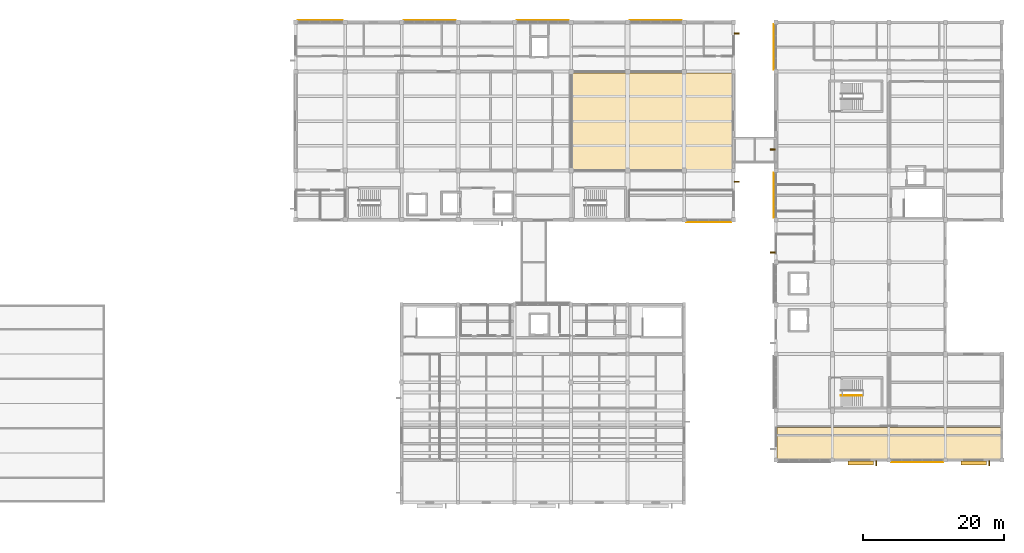
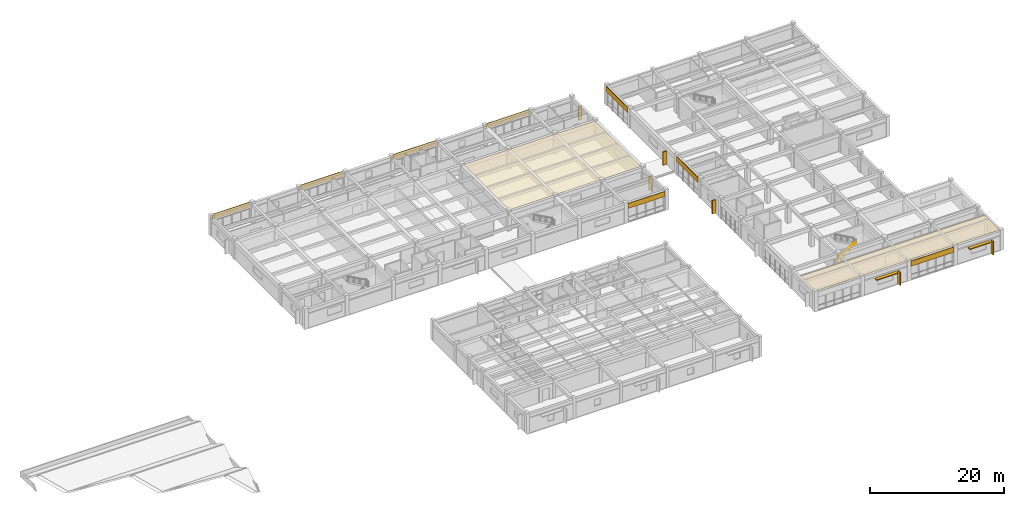
# One storey, part 32 of 33: 10 coverings, 8 shading devices, 1 railing.
"""IFC4 building model written with IfcOpenShell, lengths in metres."""

from ifc_helpers import new_model, si_unit, direction, frame, origin, origin_2d, place, context, subcontext, project, spatial, polyline, rectangle, circle, outline, extrude, material, layer, layer_set, type_object, element, save


model = new_model("IFC4")

# Units and contexts
model_context = context("Model", 3, precision=1e-05, world=origin(), true_north=direction((0.0, 1.0)))
body_context = subcontext(model_context, "Body", "Model", "MODEL_VIEW")
ifc_project = project(units=[si_unit("LENGTHUNIT", "METRE"), si_unit("AREAUNIT", "SQUARE_METRE"), si_unit("VOLUMEUNIT", "CUBIC_METRE"), si_unit("PLANEANGLEUNIT", "RADIAN"), si_unit("MASSUNIT", "GRAM", prefix="KILO")], contexts=[model_context])

# Site, building, storey
site_placement = place(None, origin())
site = spatial("IfcSite", under=ifc_project, at=site_placement, CompositionType="ELEMENT")
building_placement = place(site_placement, origin())
building = spatial("IfcBuilding", under=site, at=building_placement, Name="Naurynzar Civic Courthouse", CompositionType="ELEMENT")
storey_placement = place(building_placement, frame((0.0, 0.0, 22.050048828125)))
storey = spatial("IfcBuildingStorey", under=building, at=storey_placement, Name="L06", CompositionType="ELEMENT", Elevation=22.050048828125)

# Coverings
ifc_material_1 = material(Name="Acoustic Oak Timber Grade A", Category="wood")
ifc_layer_1 = layer(ifc_material_1, 0.044921875)
ifc_layer_set_1 = layer_set([ifc_layer_1], Name="CEIL-ACOUSTIC-OAK-45")
covering_type_1 = type_object("IfcCoveringType", Name="CEIL-ACOUSTIC-OAK-45", PredefinedType="CEILING", material=ifc_layer_set_1)
covering_1_placement = place(storey_placement, frame((0.0, 0.0, 3.364990234375)))
element("IfcCovering", 1, at=covering_1_placement, inside=storey, type_object=covering_type_1, Name="Acoustic suspended ceiling Civil Chamber Courtroom L06-E", PredefinedType="CEILING", context=body_context, shape_type="SweptSolid", body=[
    extrude(outline(polyline([(123.840087890625, 51.159912109375), (101.159912109375, 51.159912109375), (101.159912109375, 64.840087890625), (123.840087890625, 64.840087890625), (123.840087890625, 51.159912109375)])), origin(), (0.0, 0.0, 1.0), 0.044921875),
])
covering_2_placement = place(storey_placement, frame((0.0, 0.0, 3.364990234375)))
element("IfcCovering", 2, at=covering_2_placement, inside=storey, type_object=covering_type_1, Name="Acoustic suspended ceiling Serious Offences Courtroom L06-S", PredefinedType="CEILING", context=body_context, shape_type="SweptSolid", body=[
    extrude(outline(polyline([(130.159912109375, 10.159912109375), (130.159912109375, 14.639892578125), (161.840087890625, 14.639892578125), (161.840087890625, 10.159912109375), (130.159912109375, 10.159912109375)])), origin(), (0.0, 0.0, 1.0), 0.044921875),
])
ifc_material_2 = material(Name="Precast concrete C40/50", Category="concrete")
ifc_layer_2 = layer(ifc_material_2, 0.080078125)
ifc_layer_set_2 = layer_set([ifc_layer_2], Name="COV-CLAD-PRECAST-80")
covering_type_2 = type_object("IfcCoveringType", Name="COV-CLAD-PRECAST-80", PredefinedType="CLADDING", material=ifc_layer_set_2)
covering_3_placement = place(storey_placement, frame((65.5, 72.2548828125, 2.56005859375), z_axis=(0.0, 0.0, 1.0), x_axis=(1.0, 0.0, 0.0)))
element("IfcCovering", 3, at=covering_3_placement, inside=storey, type_object=covering_type_2, Name="V2 precast spandrel cladding 43", PredefinedType="CLADDING", context=body_context, shape_type="SweptSolid", body=[
    extrude(rectangle(XDim=6.375, YDim=0.080078125, at=origin_2d()), origin(), (0.0, 0.0, 1.0), 0.909912109375),
])
for number, where, z_axis, x_axis, name in (
    (4, (81.0, 72.2548828125, 2.56005859375), (0.0, 0.0, 1.0), (1.0, 0.0, 0.0), "V2 precast spandrel cladding 44"),
    (5, (97.0, 72.2548828125, 2.56005859375), (0.0, 0.0, 1.0), (1.0, 0.0, 0.0), "V2 precast spandrel cladding 45"),
    (6, (113.0, 72.2548828125, 2.56005859375), (0.0, 0.0, 1.0), (1.0, 0.0, 0.0), "V2 precast spandrel cladding 46"),
):
    element("IfcCovering", number, at=place(storey_placement, frame(where, z_axis=z_axis, x_axis=x_axis)), inside=storey, type_object=covering_type_2, Name=name, PredefinedType="CLADDING", context=body_context, shape_type="SweptSolid", body=[
        extrude(rectangle(XDim=7.375, YDim=0.080078125, at=origin_2d()), origin(), (0.0, 0.0, 1.0), 0.909912109375),
    ])
covering_4_placement = place(storey_placement, frame((120.5, 43.7451171875, 2.56005859375), z_axis=(0.0, 0.0, 1.0), x_axis=(-1.0, 0.0, 0.0)))
element("IfcCovering", 7, at=covering_4_placement, inside=storey, type_object=covering_type_2, Name="V2 precast spandrel cladding 47", PredefinedType="CLADDING", context=body_context, shape_type="SweptSolid", body=[
    extrude(rectangle(XDim=6.375, YDim=0.080078125, at=origin_2d()), origin(), (0.0, 0.0, 1.0), 0.909912109375),
])
for number, where, z_axis, x_axis, name in (
    (8, (129.7451171875, 47.5, 2.510009765625), (0.0, 0.0, 1.0), (0.0, 1.0, 0.0), "V5 precast spandrel cladding 108"),
    (9, (129.7451171875, 68.5, 2.510009765625), (0.0, 0.0, 1.0), (0.0, 1.0, 0.0), "V5 precast spandrel cladding 109"),
):
    element("IfcCovering", number, at=place(storey_placement, frame(where, z_axis=z_axis, x_axis=x_axis)), inside=storey, type_object=covering_type_2, Name=name, PredefinedType="CLADDING", context=body_context, shape_type="SweptSolid", body=[
        extrude(rectangle(XDim=6.39990234375, YDim=0.080078125, at=origin_2d()), origin(), (0.0, 0.0, 1.0), 0.9599609375),
    ])
covering_5_placement = place(storey_placement, frame((150.0, 9.7451171875, 2.510009765625), z_axis=(0.0, 0.0, 1.0), x_axis=(-1.0, 0.0, 0.0)))
element("IfcCovering", 10, at=covering_5_placement, inside=storey, type_object=covering_type_2, Name="V5 precast spandrel cladding 110", PredefinedType="CLADDING", context=body_context, shape_type="SweptSolid", body=[
    extrude(rectangle(XDim=7.39990234375, YDim=0.080078125, at=origin_2d()), origin(), (0.0, 0.0, 1.0), 0.9599609375),
])

# Railing
ifc_material_3 = material(Name="Brushed Stainless Steel 304", Category="steel")
railing_type = type_object("IfcRailingType", Name="RAIL-HR-900", PredefinedType="HANDRAIL", material=ifc_material_3)
railing_placement = place(storey_placement, frame((139.199951171875, 19.139892578125, 0.15625)))
element("IfcRailing", 11, at=railing_placement, inside=storey, type_object=railing_type, Name="Stair ST-V5A-L06 flight 1 handrail", PredefinedType="HANDRAIL", context=body_context, shape_type="SweptSolid", body=[
    extrude(circle(Radius=0.02392578125, at=origin_2d()), frame((0.0, 0.0, 0.8759765625), z_axis=(0.873241540666, 0.0, 0.487287606713), x_axis=(0.0, 1.0, 0.0)), (0.0, 0.0, 1.0), 3.527099609375),
    extrude(circle(Radius=0.02099609375, at=origin_2d()), origin(), (0.0, 0.0, 1.0), 0.851806640625),
    extrude(circle(Radius=0.02099609375, at=origin_2d()), frame((1.026611328125, 0.0, 0.572998046875)), (0.0, 0.0, 1.0), 0.851806640625),
    extrude(circle(Radius=0.02099609375, at=origin_2d()), frame((2.053466796875, 0.0, 1.145751953125)), (0.0, 0.0, 1.0), 0.851806640625),
    extrude(circle(Radius=0.02099609375, at=origin_2d()), frame((3.080078125, 0.0, 1.71875)), (0.0, 0.0, 1.0), 0.851806640625),
])

# Shading devices
ifc_material_4 = material(Name="Precast concrete C40/50", Category="concrete")
shading_device_type_1 = type_object("IfcShadingDeviceType", Name="SHD-FIN-V650", PredefinedType="JALOUSIE", material=ifc_material_4)
for number, where, z_axis, x_axis, name in (
    (12, (124.4599609375, 70.41259765625, 0.0400390625), (0.0, 0.0, 1.0), (0.0, -1.0, 0.0), "V2 vertical brise-soleil fin 31"),
    (13, (124.4599609375, 49.41259765625, 0.0400390625), (0.0, 0.0, 1.0), (0.0, -1.0, 0.0), "V2 vertical brise-soleil fin 32"),
):
    element("IfcShadingDevice", number, at=place(storey_placement, frame(where, z_axis=z_axis, x_axis=x_axis)), inside=storey, type_object=shading_device_type_1, Name=name, PredefinedType="JALOUSIE", context=body_context, shape_type="SweptSolid", body=[
        extrude(rectangle(XDim=0.179931640625, YDim=0.64990234375, at=origin_2d()), origin(), (0.0, 0.0, 1.0), 2.47998046875),
    ])
for number, where, z_axis, x_axis, name in (
    (14, (129.550048828125, 39.3798828125, 0.0400390625), (0.0, 0.0, 1.0), (0.0, 1.0, 0.0), "V5 vertical brise-soleil fin 92"),
    (15, (129.550048828125, 53.97998046875, 0.0400390625), (0.0, 0.0, 1.0), (0.0, 1.0, 0.0), "V5 vertical brise-soleil fin 93"),
    (16, (160.219970703125, 9.550048828125, 0.0400390625), (0.0, 0.0, 1.0), (-1.0, 0.0, 0.0), "V5 vertical brise-soleil fin 94"),
    (17, (144.219970703125, 9.550048828125, 0.0400390625), (0.0, 0.0, 1.0), (-1.0, 0.0, 0.0), "V5 vertical brise-soleil fin 95"),
):
    element("IfcShadingDevice", number, at=place(storey_placement, frame(where, z_axis=z_axis, x_axis=x_axis)), inside=storey, type_object=shading_device_type_1, Name=name, PredefinedType="JALOUSIE", context=body_context, shape_type="SweptSolid", body=[
        extrude(rectangle(XDim=0.179931640625, YDim=0.64990234375, at=origin_2d()), origin(), (0.0, 0.0, 1.0), 2.429931640625),
    ])
ifc_material_5 = material(Name="Precast concrete C40/50", Category="concrete")
shading_device_type_2 = type_object("IfcShadingDeviceType", Name="SHD-LOUV-H550", PredefinedType="SHUTTER", material=ifc_material_5)
for number, where, z_axis, x_axis, name in (
    (18, (158.0, 9.60009765625, 2.27001953125), (0.0, 0.0, 1.0), (-1.0, 0.0, 0.0), "V5 horizontal solar sun-breaker 94"),
    (19, (142.0, 9.60009765625, 2.27001953125), (0.0, 0.0, 1.0), (-1.0, 0.0, 0.0), "V5 horizontal solar sun-breaker 95"),
):
    element("IfcShadingDevice", number, at=place(storey_placement, frame(where, z_axis=z_axis, x_axis=x_axis)), inside=storey, type_object=shading_device_type_2, Name=name, PredefinedType="SHUTTER", context=body_context, shape_type="SweptSolid", body=[
        extrude(rectangle(XDim=3.60009765625, YDim=0.550048828125, at=origin_2d()), origin(), (0.0, 0.0, 1.0), 0.159912109375),
    ])

save(model, "model.ifc")
